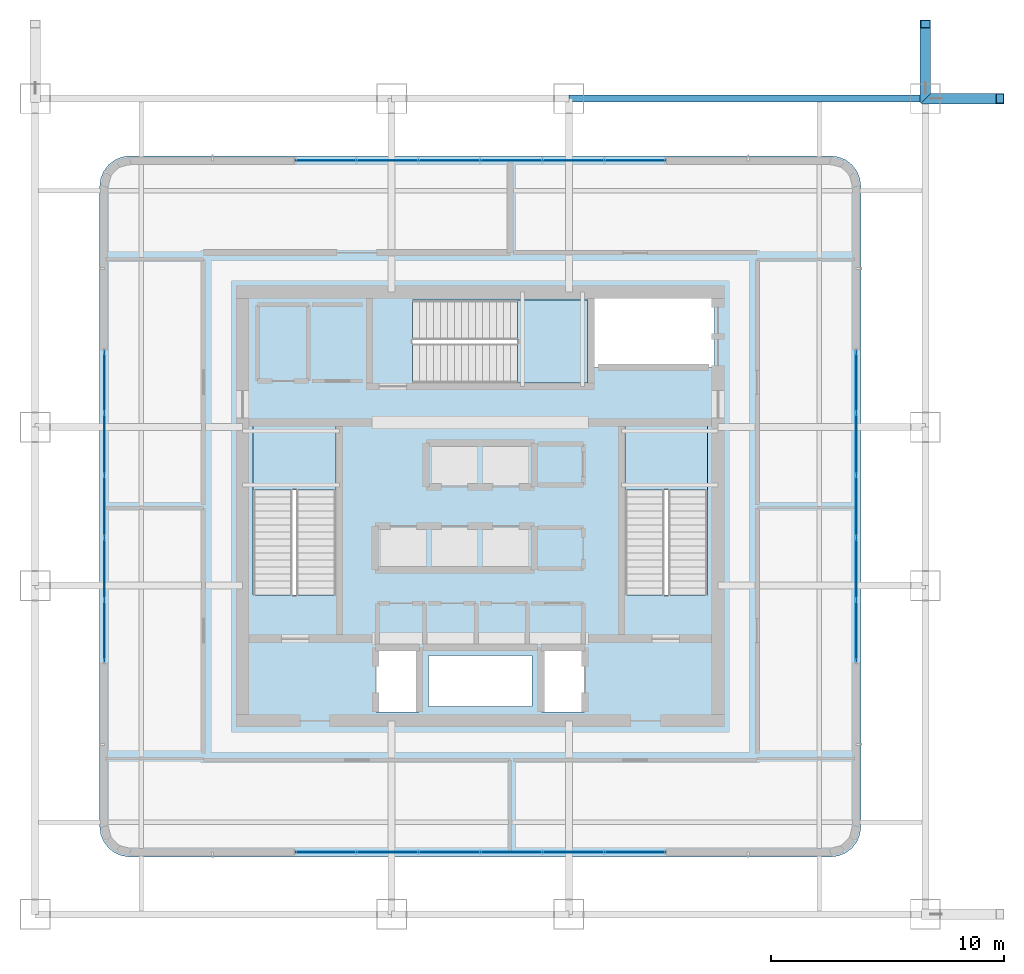
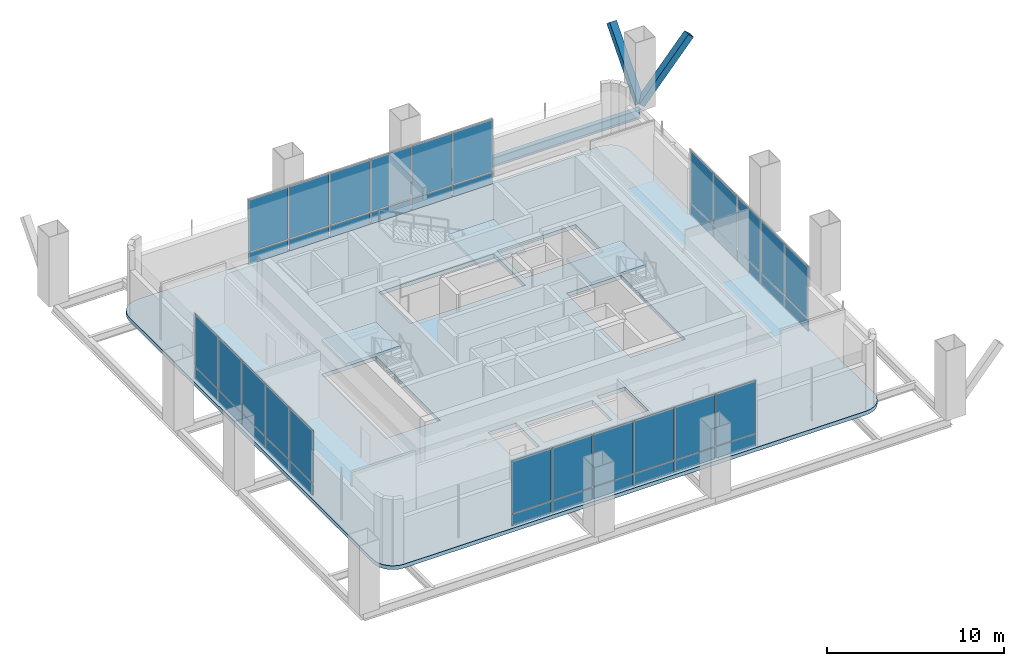
# One storey, part 17 of 33: 44 plates, 4 slabs, 2 members, 1 beam, 7 elements without a shape of their own.
"""IFC4 building model written with IfcOpenShell, lengths in metres."""

from ifc_helpers import new_model, si_unit, direction, frame, origin, origin_2d, place, context, subcontext, project, spatial, polyline, rectangle, hollow_rectangle, i_section, outline, extrude, material, layer, layer_set, material_profile, profile_set, type_object, element, aggregate, save


model = new_model("IFC4")

# Units and contexts
model_context = context("Model", 3, precision=1e-05, world=origin(), true_north=direction((0.0, 1.0)))
body_context = subcontext(model_context, "Body", "Model", "MODEL_VIEW")
ifc_project = project(units=[si_unit("LENGTHUNIT", "METRE"), si_unit("AREAUNIT", "SQUARE_METRE"), si_unit("VOLUMEUNIT", "CUBIC_METRE"), si_unit("PLANEANGLEUNIT", "RADIAN"), si_unit("MASSUNIT", "GRAM", prefix="KILO")], contexts=[model_context])

# Site, building, storey
site_placement = place(None, origin())
site = spatial("IfcSite", under=ifc_project, at=site_placement, CompositionType="ELEMENT")
building_placement = place(site_placement, origin())
building = spatial("IfcBuilding", under=site, at=building_placement, Name="Punatoya Terracotta Tower", CompositionType="ELEMENT")
storey_placement = place(building_placement, frame((0.0, 0.0, 246.60009765625)))
storey = spatial("IfcBuildingStorey", under=building, at=storey_placement, Name="L58", CompositionType="ELEMENT", Elevation=246.60009765625)

# Beam
ifc_material_1 = material(Name="Steel S355", Category="steel")
ifc_material_profile_1 = material_profile(ifc_material_1, i_section(OverallWidth=0.300048828125, OverallDepth=0.64990234375, WebThickness=0.01611328125, FlangeThickness=0.031005859375, FilletRadius=0.01806640625, at=origin_2d()))
ifc_profile_set_1 = profile_set([ifc_material_profile_1], Name="Steel S355")
beam_type = type_object("IfcBeamType", Name="BM-PRI-650", PredefinedType="BEAM", material=ifc_profile_set_1)
beam_placement = place(storey_placement, frame((3.800048828125, 17.5, -0.585205078125), z_axis=(1.0, 0.0, 0.0), x_axis=(0.0, 1.0, 0.0)))
element("IfcBeam", 1, at=beam_placement, inside=storey, type_object=beam_type, Name="BM-L58-RG-N3", PredefinedType="BEAM", context=body_context, shape_type="SweptSolid", body=[
    extrude(i_section(OverallWidth=0.300048828125, OverallDepth=0.64990234375, WebThickness=0.01611328125, FlangeThickness=0.031005859375, FilletRadius=0.01806640625, at=origin_2d()), origin(), (0.0, 0.0, 1.0), 15.300048828125),
])

# Members
ifc_material_2 = material(Name="Steel S460", Category="steel")
ifc_material_profile_2 = material_profile(ifc_material_2, hollow_rectangle(XDim=0.449951171875, YDim=0.449951171875, WallThickness=0.02490234375, at=origin_2d()))
ifc_profile_set_2 = profile_set([ifc_material_profile_2], Name="Steel S460")
member_type = type_object("IfcMemberType", Name="MEM-STR-450", PredefinedType="STRUT", material=ifc_profile_set_2)
for number, where, z_axis, x_axis, name in (
    (2, (19.10009765625, 17.5, 0.02001953125), (0.654151161257, 0.0, 0.756363839845), (0.0, 1.0, 0.0), "L59 Cantilever Raking Knee-Strut E2"),
    (3, (19.10009765625, 17.5, 0.02001953125), (0.0, 0.654151161257, 0.756363839845), (-1.0, 0.0, 0.0), "L59 Cantilever Raking Knee-Strut N2"),
):
    element("IfcMember", number, at=place(storey_placement, frame(where, z_axis=z_axis, x_axis=x_axis)), inside=storey, type_object=member_type, Name=name, PredefinedType="STRUT", context=body_context, shape_type="SweptSolid", body=[
        extrude(hollow_rectangle(XDim=0.449951171875, YDim=0.449951171875, WallThickness=0.02490234375, at=origin_2d()), origin(), (0.0, 0.0, 1.0), 4.891845703125),
    ])

# Curtain wall, plates
ifc_material_3 = material(Name="Aluminium 6063-T6 + Double Low-E Glass", Category="aluminium")
curtain_wall_type = type_object("IfcCurtainWallType", Name="CW-NCK", PredefinedType="NOTDEFINED", material=ifc_material_3)
curtain_wall_1_placement = place(storey_placement, origin())
curtain_wall_1 = element("IfcCurtainWall", 4, at=curtain_wall_1_placement, inside=storey, type_object=curtain_wall_type, Name="L58 Curtain Wall CW-L58-S01-1", PredefinedType="NOTDEFINED")
ifc_material_4 = material(Name="Double Low-E Acoustic Vision Glass", Category="glass")
ifc_layer_1 = layer(ifc_material_4, 0.031982421875)
ifc_layer_set_1 = layer_set([ifc_layer_1], Name="Double Low-E Acoustic Vision Glass")
plate_type_1 = type_object("IfcPlateType", Name="PLT-GLZ-32", PredefinedType="CURTAIN_PANEL", material=ifc_layer_set_1)
plate_1_placement = place(storey_placement, frame((-6.64990234375, -14.840087890625, 0.8896484375), z_axis=(0.0, 0.0, 1.0), x_axis=(1.0, 0.0, 0.0)))
plate_1 = element("IfcPlate", 5, at=plate_1_placement, type_object=plate_type_1, Name="CW-L58-S01-1 Vision Glass Panel 1", PredefinedType="CURTAIN_PANEL", context=body_context, shape_type="SweptSolid", body=[
    extrude(rectangle(XDim=2.574951171875, YDim=0.031982421875, at=origin_2d()), origin(), (0.0, 0.0, 1.0), 3.590087890625),
])
plate_2_placement = place(storey_placement, frame((-3.989990234375, -14.840087890625, 0.8896484375), z_axis=(0.0, 0.0, 1.0), x_axis=(1.0, 0.0, 0.0)))
plate_2 = element("IfcPlate", 6, at=plate_2_placement, type_object=plate_type_1, Name="CW-L58-S01-1 Vision Glass Panel 2", PredefinedType="CURTAIN_PANEL", context=body_context, shape_type="SweptSolid", body=[
    extrude(rectangle(XDim=2.574951171875, YDim=0.031982421875, at=origin_2d()), origin(), (0.0, 0.0, 1.0), 3.590087890625),
])
plate_3_placement = place(storey_placement, frame((-1.330078125, -14.840087890625, 0.8896484375), z_axis=(0.0, 0.0, 1.0), x_axis=(1.0, 0.0, 0.0)))
plate_3 = element("IfcPlate", 7, at=plate_3_placement, type_object=plate_type_1, Name="CW-L58-S01-1 Vision Glass Panel 3", PredefinedType="CURTAIN_PANEL", context=body_context, shape_type="SweptSolid", body=[
    extrude(rectangle(XDim=2.574951171875, YDim=0.031982421875, at=origin_2d()), origin(), (0.0, 0.0, 1.0), 3.590087890625),
])
plate_4_placement = place(storey_placement, frame((1.330078125, -14.840087890625, 0.8896484375), z_axis=(0.0, 0.0, 1.0), x_axis=(1.0, 0.0, 0.0)))
plate_4 = element("IfcPlate", 8, at=plate_4_placement, type_object=plate_type_1, Name="CW-L58-S01-1 Vision Glass Panel 4", PredefinedType="CURTAIN_PANEL", context=body_context, shape_type="SweptSolid", body=[
    extrude(rectangle(XDim=2.574951171875, YDim=0.031982421875, at=origin_2d()), origin(), (0.0, 0.0, 1.0), 3.590087890625),
])
plate_5_placement = place(storey_placement, frame((3.989990234375, -14.840087890625, 0.8896484375), z_axis=(0.0, 0.0, 1.0), x_axis=(1.0, 0.0, 0.0)))
plate_5 = element("IfcPlate", 9, at=plate_5_placement, type_object=plate_type_1, Name="CW-L58-S01-1 Vision Glass Panel 5", PredefinedType="CURTAIN_PANEL", context=body_context, shape_type="SweptSolid", body=[
    extrude(rectangle(XDim=2.574951171875, YDim=0.031982421875, at=origin_2d()), origin(), (0.0, 0.0, 1.0), 3.590087890625),
])
plate_6_placement = place(storey_placement, frame((6.64990234375, -14.840087890625, 0.8896484375), z_axis=(0.0, 0.0, 1.0), x_axis=(1.0, 0.0, 0.0)))
plate_6 = element("IfcPlate", 10, at=plate_6_placement, type_object=plate_type_1, Name="CW-L58-S01-1 Vision Glass Panel 6", PredefinedType="CURTAIN_PANEL", context=body_context, shape_type="SweptSolid", body=[
    extrude(rectangle(XDim=2.574951171875, YDim=0.031982421875, at=origin_2d()), origin(), (0.0, 0.0, 1.0), 3.590087890625),
])

curtain_wall_2_placement = place(storey_placement, origin())
curtain_wall_2 = element("IfcCurtainWall", 11, at=curtain_wall_2_placement, inside=storey, type_object=curtain_wall_type, Name="L58 Curtain Wall CW-L58-E05-1", PredefinedType="NOTDEFINED")
plate_7_placement = place(storey_placement, frame((16.1298828125, -5.35205078125, 0.8896484375), z_axis=(0.0, 0.0, 1.0), x_axis=(0.0, 1.0, 0.0)))
plate_7 = element("IfcPlate", 12, at=plate_7_placement, type_object=plate_type_1, Name="CW-L58-E05-1 Vision Glass Panel 1", PredefinedType="CURTAIN_PANEL", context=body_context, shape_type="SweptSolid", body=[
    extrude(rectangle(XDim=2.591064453125, YDim=0.031982421875, at=origin_2d()), origin(), (0.0, 0.0, 1.0), 3.590087890625),
])
plate_8_placement = place(storey_placement, frame((16.1298828125, -2.676025390625, 0.8896484375), z_axis=(0.0, 0.0, 1.0), x_axis=(0.0, 1.0, 0.0)))
plate_8 = element("IfcPlate", 13, at=plate_8_placement, type_object=plate_type_1, Name="CW-L58-E05-1 Vision Glass Panel 2", PredefinedType="CURTAIN_PANEL", context=body_context, shape_type="SweptSolid", body=[
    extrude(rectangle(XDim=2.591064453125, YDim=0.031982421875, at=origin_2d()), origin(), (0.0, 0.0, 1.0), 3.590087890625),
])
plate_9_placement = place(storey_placement, frame((16.1298828125, 0.0, 0.8896484375), z_axis=(0.0, 0.0, 1.0), x_axis=(0.0, 1.0, 0.0)))
plate_9 = element("IfcPlate", 14, at=plate_9_placement, type_object=plate_type_1, Name="CW-L58-E05-1 Vision Glass Panel 3", PredefinedType="CURTAIN_PANEL", context=body_context, shape_type="SweptSolid", body=[
    extrude(rectangle(XDim=2.591064453125, YDim=0.031982421875, at=origin_2d()), origin(), (0.0, 0.0, 1.0), 3.590087890625),
])
plate_10_placement = place(storey_placement, frame((16.1298828125, 2.676025390625, 0.8896484375), z_axis=(0.0, 0.0, 1.0), x_axis=(0.0, 1.0, 0.0)))
plate_10 = element("IfcPlate", 15, at=plate_10_placement, type_object=plate_type_1, Name="CW-L58-E05-1 Vision Glass Panel 4", PredefinedType="CURTAIN_PANEL", context=body_context, shape_type="SweptSolid", body=[
    extrude(rectangle(XDim=2.591064453125, YDim=0.031982421875, at=origin_2d()), origin(), (0.0, 0.0, 1.0), 3.590087890625),
])
plate_11_placement = place(storey_placement, frame((16.1298828125, 5.35205078125, 0.8896484375), z_axis=(0.0, 0.0, 1.0), x_axis=(0.0, 1.0, 0.0)))
plate_11 = element("IfcPlate", 16, at=plate_11_placement, type_object=plate_type_1, Name="CW-L58-E05-1 Vision Glass Panel 5", PredefinedType="CURTAIN_PANEL", context=body_context, shape_type="SweptSolid", body=[
    extrude(rectangle(XDim=2.591064453125, YDim=0.031982421875, at=origin_2d()), origin(), (0.0, 0.0, 1.0), 3.590087890625),
])

curtain_wall_3_placement = place(storey_placement, origin())
curtain_wall_3 = element("IfcCurtainWall", 17, at=curtain_wall_3_placement, inside=storey, type_object=curtain_wall_type, Name="L58 Curtain Wall CW-L58-N09-1", PredefinedType="NOTDEFINED")
plate_12_placement = place(storey_placement, frame((6.64990234375, 14.840087890625, 0.8896484375), z_axis=(0.0, 0.0, 1.0), x_axis=(-1.0, 0.0, 0.0)))
plate_12 = element("IfcPlate", 18, at=plate_12_placement, type_object=plate_type_1, Name="CW-L58-N09-1 Vision Glass Panel 1", PredefinedType="CURTAIN_PANEL", context=body_context, shape_type="SweptSolid", body=[
    extrude(rectangle(XDim=2.574951171875, YDim=0.031982421875, at=origin_2d()), origin(), (0.0, 0.0, 1.0), 3.590087890625),
])
plate_13_placement = place(storey_placement, frame((3.989990234375, 14.840087890625, 0.8896484375), z_axis=(0.0, 0.0, 1.0), x_axis=(-1.0, 0.0, 0.0)))
plate_13 = element("IfcPlate", 19, at=plate_13_placement, type_object=plate_type_1, Name="CW-L58-N09-1 Vision Glass Panel 2", PredefinedType="CURTAIN_PANEL", context=body_context, shape_type="SweptSolid", body=[
    extrude(rectangle(XDim=2.574951171875, YDim=0.031982421875, at=origin_2d()), origin(), (0.0, 0.0, 1.0), 3.590087890625),
])
plate_14_placement = place(storey_placement, frame((1.330078125, 14.840087890625, 0.8896484375), z_axis=(0.0, 0.0, 1.0), x_axis=(-1.0, 0.0, 0.0)))
plate_14 = element("IfcPlate", 20, at=plate_14_placement, type_object=plate_type_1, Name="CW-L58-N09-1 Vision Glass Panel 3", PredefinedType="CURTAIN_PANEL", context=body_context, shape_type="SweptSolid", body=[
    extrude(rectangle(XDim=2.574951171875, YDim=0.031982421875, at=origin_2d()), origin(), (0.0, 0.0, 1.0), 3.590087890625),
])
plate_15_placement = place(storey_placement, frame((-1.330078125, 14.840087890625, 0.8896484375), z_axis=(0.0, 0.0, 1.0), x_axis=(-1.0, 0.0, 0.0)))
plate_15 = element("IfcPlate", 21, at=plate_15_placement, type_object=plate_type_1, Name="CW-L58-N09-1 Vision Glass Panel 4", PredefinedType="CURTAIN_PANEL", context=body_context, shape_type="SweptSolid", body=[
    extrude(rectangle(XDim=2.574951171875, YDim=0.031982421875, at=origin_2d()), origin(), (0.0, 0.0, 1.0), 3.590087890625),
])
plate_16_placement = place(storey_placement, frame((-3.989990234375, 14.840087890625, 0.8896484375), z_axis=(0.0, 0.0, 1.0), x_axis=(-1.0, 0.0, 0.0)))
plate_16 = element("IfcPlate", 22, at=plate_16_placement, type_object=plate_type_1, Name="CW-L58-N09-1 Vision Glass Panel 5", PredefinedType="CURTAIN_PANEL", context=body_context, shape_type="SweptSolid", body=[
    extrude(rectangle(XDim=2.574951171875, YDim=0.031982421875, at=origin_2d()), origin(), (0.0, 0.0, 1.0), 3.590087890625),
])
plate_17_placement = place(storey_placement, frame((-6.64990234375, 14.840087890625, 0.8896484375), z_axis=(0.0, 0.0, 1.0), x_axis=(-1.0, 0.0, 0.0)))
plate_17 = element("IfcPlate", 23, at=plate_17_placement, type_object=plate_type_1, Name="CW-L58-N09-1 Vision Glass Panel 6", PredefinedType="CURTAIN_PANEL", context=body_context, shape_type="SweptSolid", body=[
    extrude(rectangle(XDim=2.574951171875, YDim=0.031982421875, at=origin_2d()), origin(), (0.0, 0.0, 1.0), 3.590087890625),
])

curtain_wall_4_placement = place(storey_placement, origin())
curtain_wall_4 = element("IfcCurtainWall", 24, at=curtain_wall_4_placement, inside=storey, type_object=curtain_wall_type, Name="L58 Curtain Wall CW-L58-W13-1", PredefinedType="NOTDEFINED")
plate_18_placement = place(storey_placement, frame((-16.1298828125, 5.35205078125, 0.8896484375), z_axis=(0.0, 0.0, 1.0), x_axis=(0.0, -1.0, 0.0)))
plate_18 = element("IfcPlate", 25, at=plate_18_placement, type_object=plate_type_1, Name="CW-L58-W13-1 Vision Glass Panel 1", PredefinedType="CURTAIN_PANEL", context=body_context, shape_type="SweptSolid", body=[
    extrude(rectangle(XDim=2.591064453125, YDim=0.031982421875, at=origin_2d()), origin(), (0.0, 0.0, 1.0), 3.590087890625),
])
plate_19_placement = place(storey_placement, frame((-16.1298828125, 2.676025390625, 0.8896484375), z_axis=(0.0, 0.0, 1.0), x_axis=(0.0, -1.0, 0.0)))
plate_19 = element("IfcPlate", 26, at=plate_19_placement, type_object=plate_type_1, Name="CW-L58-W13-1 Vision Glass Panel 2", PredefinedType="CURTAIN_PANEL", context=body_context, shape_type="SweptSolid", body=[
    extrude(rectangle(XDim=2.591064453125, YDim=0.031982421875, at=origin_2d()), origin(), (0.0, 0.0, 1.0), 3.590087890625),
])
plate_20_placement = place(storey_placement, frame((-16.1298828125, 0.0, 0.8896484375), z_axis=(0.0, 0.0, 1.0), x_axis=(0.0, -1.0, 0.0)))
plate_20 = element("IfcPlate", 27, at=plate_20_placement, type_object=plate_type_1, Name="CW-L58-W13-1 Vision Glass Panel 3", PredefinedType="CURTAIN_PANEL", context=body_context, shape_type="SweptSolid", body=[
    extrude(rectangle(XDim=2.591064453125, YDim=0.031982421875, at=origin_2d()), origin(), (0.0, 0.0, 1.0), 3.590087890625),
])
plate_21_placement = place(storey_placement, frame((-16.1298828125, -2.676025390625, 0.8896484375), z_axis=(0.0, 0.0, 1.0), x_axis=(0.0, -1.0, 0.0)))
plate_21 = element("IfcPlate", 28, at=plate_21_placement, type_object=plate_type_1, Name="CW-L58-W13-1 Vision Glass Panel 4", PredefinedType="CURTAIN_PANEL", context=body_context, shape_type="SweptSolid", body=[
    extrude(rectangle(XDim=2.591064453125, YDim=0.031982421875, at=origin_2d()), origin(), (0.0, 0.0, 1.0), 3.590087890625),
])
plate_22_placement = place(storey_placement, frame((-16.1298828125, -5.35205078125, 0.8896484375), z_axis=(0.0, 0.0, 1.0), x_axis=(0.0, -1.0, 0.0)))
plate_22 = element("IfcPlate", 29, at=plate_22_placement, type_object=plate_type_1, Name="CW-L58-W13-1 Vision Glass Panel 5", PredefinedType="CURTAIN_PANEL", context=body_context, shape_type="SweptSolid", body=[
    extrude(rectangle(XDim=2.591064453125, YDim=0.031982421875, at=origin_2d()), origin(), (0.0, 0.0, 1.0), 3.590087890625),
])

# Plate
ifc_material_5 = material(Name="Insulated Terracotta-Backed Spandrel Panel", Category="masonry")
ifc_layer_2 = layer(ifc_material_5, 0.044921875)
ifc_layer_set_2 = layer_set([ifc_layer_2], Name="Insulated Terracotta-Backed Spandrel Panel")
plate_type_2 = type_object("IfcPlateType", Name="PLT-SPN-45", PredefinedType="CURTAIN_PANEL", material=ifc_layer_set_2)
plate_23_placement = place(storey_placement, frame((-6.64990234375, -14.840087890625, 0.0400390625), z_axis=(0.0, 0.0, 1.0), x_axis=(1.0, 0.0, 0.0)))
plate_23 = element("IfcPlate", 30, at=plate_23_placement, type_object=plate_type_2, Name="CW-L58-S01-1 Terracotta Spandrel Panel 1", PredefinedType="CURTAIN_PANEL", context=body_context, shape_type="SweptSolid", body=[
    extrude(rectangle(XDim=2.574951171875, YDim=0.044921875, at=origin_2d()), origin(), (0.0, 0.0, 1.0), 0.77490234375),
])

plate_24_placement = place(storey_placement, frame((-3.989990234375, -14.840087890625, 0.0400390625), z_axis=(0.0, 0.0, 1.0), x_axis=(1.0, 0.0, 0.0)))
plate_24 = element("IfcPlate", 31, at=plate_24_placement, type_object=plate_type_2, Name="CW-L58-S01-1 Terracotta Spandrel Panel 2", PredefinedType="CURTAIN_PANEL", context=body_context, shape_type="SweptSolid", body=[
    extrude(rectangle(XDim=2.574951171875, YDim=0.044921875, at=origin_2d()), origin(), (0.0, 0.0, 1.0), 0.77490234375),
])

plate_25_placement = place(storey_placement, frame((-1.330078125, -14.840087890625, 0.0400390625), z_axis=(0.0, 0.0, 1.0), x_axis=(1.0, 0.0, 0.0)))
plate_25 = element("IfcPlate", 32, at=plate_25_placement, type_object=plate_type_2, Name="CW-L58-S01-1 Terracotta Spandrel Panel 3", PredefinedType="CURTAIN_PANEL", context=body_context, shape_type="SweptSolid", body=[
    extrude(rectangle(XDim=2.574951171875, YDim=0.044921875, at=origin_2d()), origin(), (0.0, 0.0, 1.0), 0.77490234375),
])

plate_26_placement = place(storey_placement, frame((1.330078125, -14.840087890625, 0.0400390625), z_axis=(0.0, 0.0, 1.0), x_axis=(1.0, 0.0, 0.0)))
plate_26 = element("IfcPlate", 33, at=plate_26_placement, type_object=plate_type_2, Name="CW-L58-S01-1 Terracotta Spandrel Panel 4", PredefinedType="CURTAIN_PANEL", context=body_context, shape_type="SweptSolid", body=[
    extrude(rectangle(XDim=2.574951171875, YDim=0.044921875, at=origin_2d()), origin(), (0.0, 0.0, 1.0), 0.77490234375),
])

plate_27_placement = place(storey_placement, frame((3.989990234375, -14.840087890625, 0.0400390625), z_axis=(0.0, 0.0, 1.0), x_axis=(1.0, 0.0, 0.0)))
plate_27 = element("IfcPlate", 34, at=plate_27_placement, type_object=plate_type_2, Name="CW-L58-S01-1 Terracotta Spandrel Panel 5", PredefinedType="CURTAIN_PANEL", context=body_context, shape_type="SweptSolid", body=[
    extrude(rectangle(XDim=2.574951171875, YDim=0.044921875, at=origin_2d()), origin(), (0.0, 0.0, 1.0), 0.77490234375),
])

plate_28_placement = place(storey_placement, frame((6.64990234375, -14.840087890625, 0.0400390625), z_axis=(0.0, 0.0, 1.0), x_axis=(1.0, 0.0, 0.0)))
plate_28 = element("IfcPlate", 35, at=plate_28_placement, type_object=plate_type_2, Name="CW-L58-S01-1 Terracotta Spandrel Panel 6", PredefinedType="CURTAIN_PANEL", context=body_context, shape_type="SweptSolid", body=[
    extrude(rectangle(XDim=2.574951171875, YDim=0.044921875, at=origin_2d()), origin(), (0.0, 0.0, 1.0), 0.77490234375),
])

aggregate(curtain_wall_1, [plate_23, plate_1, plate_24, plate_2, plate_25, plate_3, plate_26, plate_4, plate_27, plate_5, plate_28, plate_6])

plate_29_placement = place(storey_placement, frame((16.1298828125, -5.35205078125, 0.0400390625), z_axis=(0.0, 0.0, 1.0), x_axis=(0.0, 1.0, 0.0)))
plate_29 = element("IfcPlate", 36, at=plate_29_placement, type_object=plate_type_2, Name="CW-L58-E05-1 Terracotta Spandrel Panel 1", PredefinedType="CURTAIN_PANEL", context=body_context, shape_type="SweptSolid", body=[
    extrude(rectangle(XDim=2.591064453125, YDim=0.044921875, at=origin_2d()), origin(), (0.0, 0.0, 1.0), 0.77490234375),
])

plate_30_placement = place(storey_placement, frame((16.1298828125, -2.676025390625, 0.0400390625), z_axis=(0.0, 0.0, 1.0), x_axis=(0.0, 1.0, 0.0)))
plate_30 = element("IfcPlate", 37, at=plate_30_placement, type_object=plate_type_2, Name="CW-L58-E05-1 Terracotta Spandrel Panel 2", PredefinedType="CURTAIN_PANEL", context=body_context, shape_type="SweptSolid", body=[
    extrude(rectangle(XDim=2.591064453125, YDim=0.044921875, at=origin_2d()), origin(), (0.0, 0.0, 1.0), 0.77490234375),
])

plate_31_placement = place(storey_placement, frame((16.1298828125, 0.0, 0.0400390625), z_axis=(0.0, 0.0, 1.0), x_axis=(0.0, 1.0, 0.0)))
plate_31 = element("IfcPlate", 38, at=plate_31_placement, type_object=plate_type_2, Name="CW-L58-E05-1 Terracotta Spandrel Panel 3", PredefinedType="CURTAIN_PANEL", context=body_context, shape_type="SweptSolid", body=[
    extrude(rectangle(XDim=2.591064453125, YDim=0.044921875, at=origin_2d()), origin(), (0.0, 0.0, 1.0), 0.77490234375),
])

plate_32_placement = place(storey_placement, frame((16.1298828125, 2.676025390625, 0.0400390625), z_axis=(0.0, 0.0, 1.0), x_axis=(0.0, 1.0, 0.0)))
plate_32 = element("IfcPlate", 39, at=plate_32_placement, type_object=plate_type_2, Name="CW-L58-E05-1 Terracotta Spandrel Panel 4", PredefinedType="CURTAIN_PANEL", context=body_context, shape_type="SweptSolid", body=[
    extrude(rectangle(XDim=2.591064453125, YDim=0.044921875, at=origin_2d()), origin(), (0.0, 0.0, 1.0), 0.77490234375),
])

plate_33_placement = place(storey_placement, frame((16.1298828125, 5.35205078125, 0.0400390625), z_axis=(0.0, 0.0, 1.0), x_axis=(0.0, 1.0, 0.0)))
plate_33 = element("IfcPlate", 40, at=plate_33_placement, type_object=plate_type_2, Name="CW-L58-E05-1 Terracotta Spandrel Panel 5", PredefinedType="CURTAIN_PANEL", context=body_context, shape_type="SweptSolid", body=[
    extrude(rectangle(XDim=2.591064453125, YDim=0.044921875, at=origin_2d()), origin(), (0.0, 0.0, 1.0), 0.77490234375),
])

aggregate(curtain_wall_2, [plate_29, plate_7, plate_30, plate_8, plate_31, plate_9, plate_32, plate_10, plate_33, plate_11])

plate_34_placement = place(storey_placement, frame((6.64990234375, 14.840087890625, 0.0400390625), z_axis=(0.0, 0.0, 1.0), x_axis=(-1.0, 0.0, 0.0)))
plate_34 = element("IfcPlate", 41, at=plate_34_placement, type_object=plate_type_2, Name="CW-L58-N09-1 Terracotta Spandrel Panel 1", PredefinedType="CURTAIN_PANEL", context=body_context, shape_type="SweptSolid", body=[
    extrude(rectangle(XDim=2.574951171875, YDim=0.044921875, at=origin_2d()), origin(), (0.0, 0.0, 1.0), 0.77490234375),
])

plate_35_placement = place(storey_placement, frame((3.989990234375, 14.840087890625, 0.0400390625), z_axis=(0.0, 0.0, 1.0), x_axis=(-1.0, 0.0, 0.0)))
plate_35 = element("IfcPlate", 42, at=plate_35_placement, type_object=plate_type_2, Name="CW-L58-N09-1 Terracotta Spandrel Panel 2", PredefinedType="CURTAIN_PANEL", context=body_context, shape_type="SweptSolid", body=[
    extrude(rectangle(XDim=2.574951171875, YDim=0.044921875, at=origin_2d()), origin(), (0.0, 0.0, 1.0), 0.77490234375),
])

plate_36_placement = place(storey_placement, frame((1.330078125, 14.840087890625, 0.0400390625), z_axis=(0.0, 0.0, 1.0), x_axis=(-1.0, 0.0, 0.0)))
plate_36 = element("IfcPlate", 43, at=plate_36_placement, type_object=plate_type_2, Name="CW-L58-N09-1 Terracotta Spandrel Panel 3", PredefinedType="CURTAIN_PANEL", context=body_context, shape_type="SweptSolid", body=[
    extrude(rectangle(XDim=2.574951171875, YDim=0.044921875, at=origin_2d()), origin(), (0.0, 0.0, 1.0), 0.77490234375),
])

plate_37_placement = place(storey_placement, frame((-1.330078125, 14.840087890625, 0.0400390625), z_axis=(0.0, 0.0, 1.0), x_axis=(-1.0, 0.0, 0.0)))
plate_37 = element("IfcPlate", 44, at=plate_37_placement, type_object=plate_type_2, Name="CW-L58-N09-1 Terracotta Spandrel Panel 4", PredefinedType="CURTAIN_PANEL", context=body_context, shape_type="SweptSolid", body=[
    extrude(rectangle(XDim=2.574951171875, YDim=0.044921875, at=origin_2d()), origin(), (0.0, 0.0, 1.0), 0.77490234375),
])

plate_38_placement = place(storey_placement, frame((-3.989990234375, 14.840087890625, 0.0400390625), z_axis=(0.0, 0.0, 1.0), x_axis=(-1.0, 0.0, 0.0)))
plate_38 = element("IfcPlate", 45, at=plate_38_placement, type_object=plate_type_2, Name="CW-L58-N09-1 Terracotta Spandrel Panel 5", PredefinedType="CURTAIN_PANEL", context=body_context, shape_type="SweptSolid", body=[
    extrude(rectangle(XDim=2.574951171875, YDim=0.044921875, at=origin_2d()), origin(), (0.0, 0.0, 1.0), 0.77490234375),
])

plate_39_placement = place(storey_placement, frame((-6.64990234375, 14.840087890625, 0.0400390625), z_axis=(0.0, 0.0, 1.0), x_axis=(-1.0, 0.0, 0.0)))
plate_39 = element("IfcPlate", 46, at=plate_39_placement, type_object=plate_type_2, Name="CW-L58-N09-1 Terracotta Spandrel Panel 6", PredefinedType="CURTAIN_PANEL", context=body_context, shape_type="SweptSolid", body=[
    extrude(rectangle(XDim=2.574951171875, YDim=0.044921875, at=origin_2d()), origin(), (0.0, 0.0, 1.0), 0.77490234375),
])

aggregate(curtain_wall_3, [plate_34, plate_12, plate_35, plate_13, plate_36, plate_14, plate_37, plate_15, plate_38, plate_16, plate_39, plate_17])

plate_40_placement = place(storey_placement, frame((-16.1298828125, 5.35205078125, 0.0400390625), z_axis=(0.0, 0.0, 1.0), x_axis=(0.0, -1.0, 0.0)))
plate_40 = element("IfcPlate", 47, at=plate_40_placement, type_object=plate_type_2, Name="CW-L58-W13-1 Terracotta Spandrel Panel 1", PredefinedType="CURTAIN_PANEL", context=body_context, shape_type="SweptSolid", body=[
    extrude(rectangle(XDim=2.591064453125, YDim=0.044921875, at=origin_2d()), origin(), (0.0, 0.0, 1.0), 0.77490234375),
])

plate_41_placement = place(storey_placement, frame((-16.1298828125, 2.676025390625, 0.0400390625), z_axis=(0.0, 0.0, 1.0), x_axis=(0.0, -1.0, 0.0)))
plate_41 = element("IfcPlate", 48, at=plate_41_placement, type_object=plate_type_2, Name="CW-L58-W13-1 Terracotta Spandrel Panel 2", PredefinedType="CURTAIN_PANEL", context=body_context, shape_type="SweptSolid", body=[
    extrude(rectangle(XDim=2.591064453125, YDim=0.044921875, at=origin_2d()), origin(), (0.0, 0.0, 1.0), 0.77490234375),
])

plate_42_placement = place(storey_placement, frame((-16.1298828125, 0.0, 0.0400390625), z_axis=(0.0, 0.0, 1.0), x_axis=(0.0, -1.0, 0.0)))
plate_42 = element("IfcPlate", 49, at=plate_42_placement, type_object=plate_type_2, Name="CW-L58-W13-1 Terracotta Spandrel Panel 3", PredefinedType="CURTAIN_PANEL", context=body_context, shape_type="SweptSolid", body=[
    extrude(rectangle(XDim=2.591064453125, YDim=0.044921875, at=origin_2d()), origin(), (0.0, 0.0, 1.0), 0.77490234375),
])

plate_43_placement = place(storey_placement, frame((-16.1298828125, -2.676025390625, 0.0400390625), z_axis=(0.0, 0.0, 1.0), x_axis=(0.0, -1.0, 0.0)))
plate_43 = element("IfcPlate", 50, at=plate_43_placement, type_object=plate_type_2, Name="CW-L58-W13-1 Terracotta Spandrel Panel 4", PredefinedType="CURTAIN_PANEL", context=body_context, shape_type="SweptSolid", body=[
    extrude(rectangle(XDim=2.591064453125, YDim=0.044921875, at=origin_2d()), origin(), (0.0, 0.0, 1.0), 0.77490234375),
])

plate_44_placement = place(storey_placement, frame((-16.1298828125, -5.35205078125, 0.0400390625), z_axis=(0.0, 0.0, 1.0), x_axis=(0.0, -1.0, 0.0)))
plate_44 = element("IfcPlate", 51, at=plate_44_placement, type_object=plate_type_2, Name="CW-L58-W13-1 Terracotta Spandrel Panel 5", PredefinedType="CURTAIN_PANEL", context=body_context, shape_type="SweptSolid", body=[
    extrude(rectangle(XDim=2.591064453125, YDim=0.044921875, at=origin_2d()), origin(), (0.0, 0.0, 1.0), 0.77490234375),
])

aggregate(curtain_wall_4, [plate_40, plate_18, plate_41, plate_19, plate_42, plate_20, plate_43, plate_21, plate_44, plate_22])

# Stair, slab
ifc_material_6 = material(Name="Concrete C40/50", Category="concrete")
stair_type_1 = type_object("IfcStairType", Name="STR-TER-1450", PredefinedType="HALF_TURN_STAIR", material=ifc_material_6)
stair_1_placement = place(storey_placement, origin())
stair_1 = element("IfcStair", 52, at=stair_1_placement, inside=storey, type_object=stair_type_1, Name="L58 Protected Core Exit Stair ST-3", PredefinedType="HALF_TURN_STAIR")
ifc_layer_3 = layer(ifc_material_6, 0.1650390625)
ifc_layer_set_3 = layer_set([ifc_layer_3], Name="Concrete C40/50")
slab_type_1 = type_object("IfcSlabType", Name="SLB-LND-165", PredefinedType="LANDING", material=ifc_layer_set_3)
slab_1_placement = place(storey_placement, frame((0.0, 0.0, 2.199951171875)))
slab_1 = element("IfcSlab", 53, at=slab_1_placement, type_object=slab_type_1, Name="ST-3 landing 1", PredefinedType="LANDING", context=body_context, shape_type="SweptSolid", body=[
    extrude(outline(polyline([(1.60009765625, 5.300048828125), (4.60009765625, 5.300048828125), (4.60009765625, 8.85009765625), (1.60009765625, 8.85009765625), (1.60009765625, 5.300048828125)])), origin(), (0.0, 0.0, 1.0), 0.199951171875),
])
aggregate(stair_1, [slab_1])

stair_type_2 = type_object("IfcStairType", Name="STR-CORE-1550", PredefinedType="HALF_TURN_STAIR", material=ifc_material_6)
stair_2_placement = place(storey_placement, origin())
stair_2 = element("IfcStair", 54, at=stair_2_placement, inside=storey, type_object=stair_type_2, Name="L58 Protected Core Exit Stair ST-1", PredefinedType="HALF_TURN_STAIR")
ifc_layer_4 = layer(ifc_material_6, 0.179931640625)
ifc_layer_set_4 = layer_set([ifc_layer_4], Name="Concrete C40/50")
slab_type_2 = type_object("IfcSlabType", Name="SLB-LND-180", PredefinedType="LANDING", material=ifc_layer_set_4)
slab_2_placement = place(storey_placement, frame((0.0, 0.0, 2.199951171875)))
slab_2 = element("IfcSlab", 55, at=slab_2_placement, type_object=slab_type_2, Name="ST-1 landing 1", PredefinedType="LANDING", context=body_context, shape_type="SweptSolid", body=[
    extrude(outline(polyline([(-6.199951171875, 0.699951171875), (-6.199951171875, 3.449951171875), (-9.75, 3.449951171875), (-9.75, 0.699951171875), (-6.199951171875, 0.699951171875)])), origin(), (0.0, 0.0, 1.0), 0.199951171875),
])
aggregate(stair_2, [slab_2])

stair_type_3 = type_object("IfcStairType", Name="STR-LOB-1650", PredefinedType="HALF_TURN_STAIR", material=ifc_material_6)
stair_3_placement = place(storey_placement, origin())
stair_3 = element("IfcStair", 56, at=stair_3_placement, inside=storey, type_object=stair_type_3, Name="L58 Protected Core Exit Stair ST-2", PredefinedType="HALF_TURN_STAIR")
slab_3_placement = place(storey_placement, frame((0.0, 0.0, 2.199951171875)))
slab_3 = element("IfcSlab", 57, at=slab_3_placement, type_object=slab_type_2, Name="ST-2 landing 1", PredefinedType="LANDING", context=body_context, shape_type="SweptSolid", body=[
    extrude(outline(polyline([(9.75, 0.699951171875), (9.75, 3.449951171875), (6.199951171875, 3.449951171875), (6.199951171875, 0.699951171875), (9.75, 0.699951171875)])), origin(), (0.0, 0.0, 1.0), 0.199951171875),
])
aggregate(stair_3, [slab_3])

# Slab
ifc_layer_5 = layer(ifc_material_6, 0.260009765625)
ifc_layer_set_5 = layer_set([ifc_layer_5], Name="Concrete C40/50")
slab_type_3 = type_object("IfcSlabType", Name="SLB-NCK-260", PredefinedType="FLOOR", material=ifc_layer_set_5)
slab_4_placement = place(storey_placement, frame((0.0, 0.0, -0.260009765625)))
element("IfcSlab", 58, at=slab_4_placement, inside=storey, type_object=slab_type_3, Name="L58 Structural Floor Slab", PredefinedType="FLOOR", context=body_context, shape_type="SweptSolid", body=[
    extrude(outline(polyline([(-15.030029296875, -15.0400390625), (-15.366455078125, -14.99560546875), (-15.679931640625, -14.86572265625), (-15.94921875, -14.6591796875), (-16.15576171875, -14.389892578125), (-16.28564453125, -14.076416015625), (-16.330078125, -13.739990234375), (-16.330078125, 13.739990234375), (-16.28564453125, 14.076416015625), (-16.15576171875, 14.389892578125), (-15.94921875, 14.6591796875), (-15.679931640625, 14.86572265625), (-15.366455078125, 14.99560546875), (-15.030029296875, 15.0400390625), (15.030029296875, 15.0400390625), (15.366455078125, 14.99560546875), (15.679931640625, 14.86572265625), (15.94921875, 14.6591796875), (16.15576171875, 14.389892578125), (16.28564453125, 14.076416015625), (16.330078125, 13.739990234375), (16.330078125, -13.739990234375), (16.28564453125, -14.076416015625), (16.15576171875, -14.389892578125), (15.94921875, -14.6591796875), (15.679931640625, -14.86572265625), (15.366455078125, -14.99560546875), (15.030029296875, -15.0400390625), (-15.030029296875, -15.0400390625)]), holes=[polyline([(-2.6298828125, -6.179931640625), (-4.469970703125, -6.179931640625), (-4.469970703125, -8.820068359375), (-2.6298828125, -8.820068359375), (-2.6298828125, -6.179931640625)]), polyline([(-0.02001953125, -6.405029296875), (-2.219970703125, -6.405029296875), (-2.219970703125, -8.594970703125), (-0.02001953125, -8.594970703125), (0.02001953125, -8.594970703125), (2.219970703125, -8.594970703125), (2.219970703125, -6.405029296875), (0.02001953125, -6.405029296875), (-0.02001953125, -6.405029296875)]), polyline([(4.469970703125, -6.179931640625), (2.6298828125, -6.179931640625), (2.6298828125, -8.820068359375), (4.469970703125, -8.820068359375), (4.469970703125, -6.179931640625)]), polyline([(-9.75, 3.449951171875), (-9.75, -3.79931640625), (-6.199951171875, -3.79931640625), (-6.199951171875, 3.449951171875), (-9.75, 3.449951171875)]), polyline([(6.199951171875, 3.449951171875), (6.199951171875, -3.79931640625), (9.75, -3.79931640625), (9.75, 3.449951171875), (6.199951171875, 3.449951171875)]), polyline([(4.60009765625, 8.85009765625), (-2.899169921875, 8.85009765625), (-2.899169921875, 5.300048828125), (4.60009765625, 5.300048828125), (4.60009765625, 8.85009765625)]), polyline([(10.050048828125, 9.050048828125), (4.89990234375, 9.050048828125), (4.89990234375, 5.949951171875), (10.050048828125, 5.949951171875), (10.050048828125, 9.050048828125)])]), origin(), (0.0, 0.0, 1.0), 0.260009765625),
])

save(model, "model.ifc")
